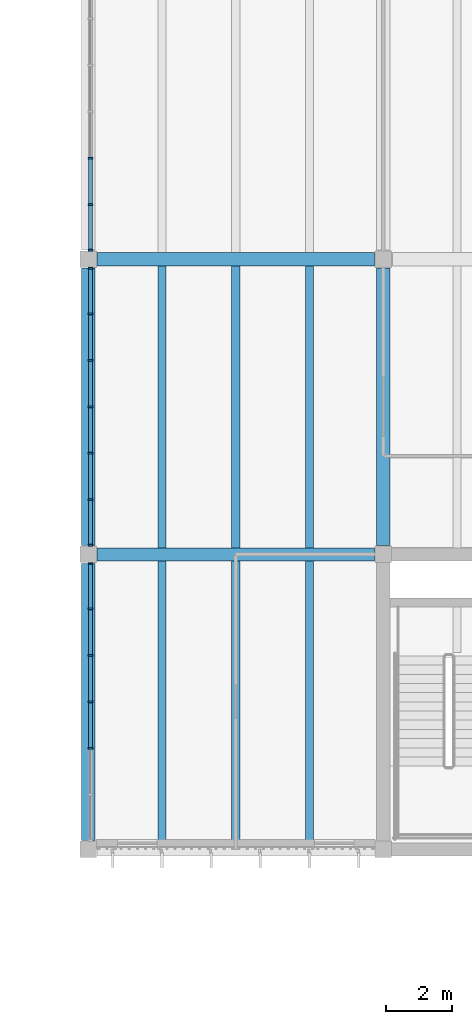
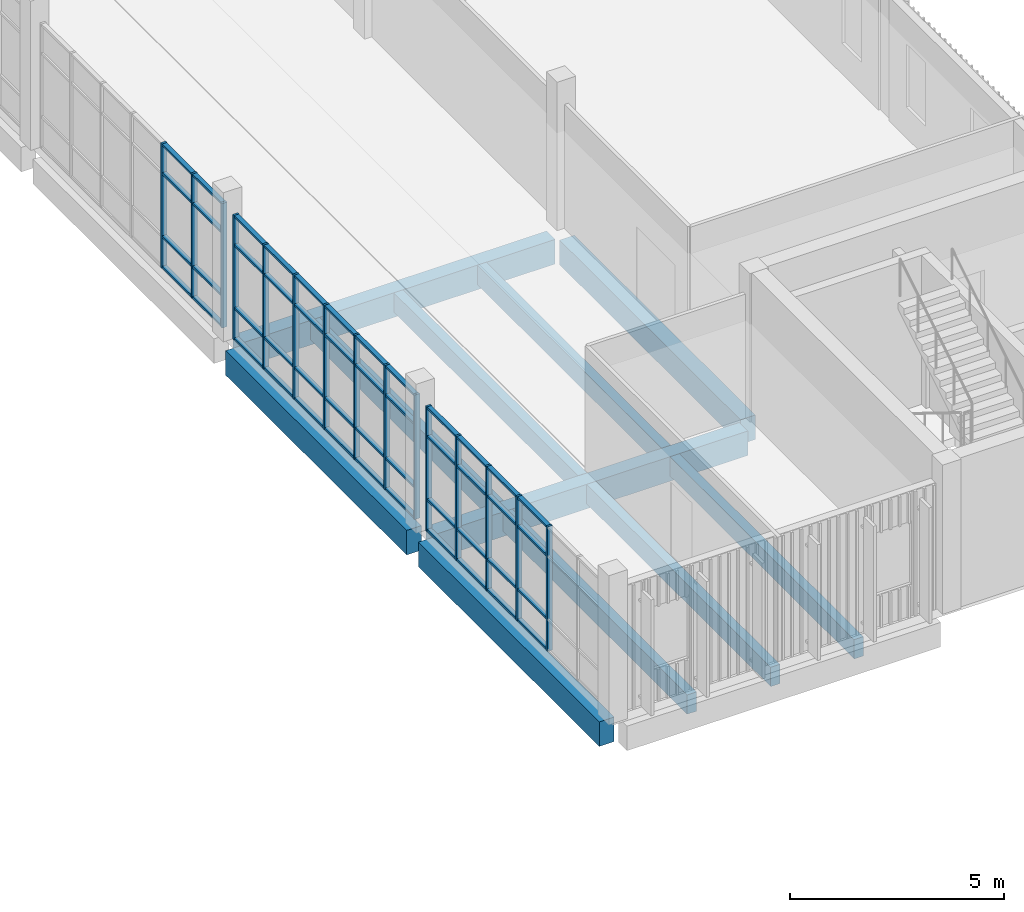
# One storey, part 16 of 92: 63 members, 11 beams, 3 elements without a shape of their own.
"""IFC4 building model written with IfcOpenShell, lengths in metres."""

from ifc_helpers import new_model, si_unit, direction, frame, origin, origin_2d, place, context, subcontext, project, spatial, rectangle, extrude, material, material_profile, profile_set, type_object, element, aggregate, save


model = new_model("IFC4")

# Units and contexts
model_context = context("Model", 3, precision=1e-05, world=origin(), true_north=direction((0.0, 1.0)))
body_context = subcontext(model_context, "Body", "Model", "MODEL_VIEW")
ifc_project = project(units=[si_unit("LENGTHUNIT", "METRE"), si_unit("AREAUNIT", "SQUARE_METRE"), si_unit("VOLUMEUNIT", "CUBIC_METRE"), si_unit("PLANEANGLEUNIT", "RADIAN"), si_unit("MASSUNIT", "GRAM", prefix="KILO")], contexts=[model_context])

# Site, building, storey
site_placement = place(None, origin())
site = spatial("IfcSite", under=ifc_project, at=site_placement, CompositionType="ELEMENT")
building_placement = place(site_placement, origin())
building = spatial("IfcBuilding", under=site, at=building_placement, Name="Merrow Basin Faculty of Sciences", CompositionType="ELEMENT")
storey_placement = place(building_placement, frame((0.0, 0.0, 4.5)))
storey = spatial("IfcBuildingStorey", under=building, at=storey_placement, Name="L01", CompositionType="ELEMENT", Elevation=4.5)

# Curtain wall, members
ifc_material_1 = material(Name="Aluminium alloy 6063", Category="aluminium")
curtain_wall_type = type_object("IfcCurtainWallType", Name="Court curtain wall 140", PredefinedType="NOTDEFINED", material=ifc_material_1)
curtain_wall_1_placement = place(storey_placement, origin())
curtain_wall_1 = element("IfcCurtainWall", 1, at=curtain_wall_1_placement, inside=storey, type_object=curtain_wall_type, Name="Court curtain wall L01 1", PredefinedType="NOTDEFINED")
ifc_material_2 = material(Name="Aluminium alloy 6063", Category="aluminium")
ifc_material_profile_1 = material_profile(ifc_material_2, rectangle(XDim=0.139892578125, YDim=0.06005859375, at=origin_2d()))
ifc_profile_set_1 = profile_set([ifc_material_profile_1], Name="Aluminium alloy 6063")
member_type_1 = type_object("IfcMemberType", Name="Aluminium mullion 60x140", PredefinedType="MULLION", material=ifc_profile_set_1)
member_1_placement = place(storey_placement, frame((54.070068359375, 64.083251953125, 0.0), z_axis=(0.0, 0.0, 1.0), x_axis=(-1.0, 0.0, 0.0)))
member_1 = element("IfcMember", 2, at=member_1_placement, type_object=member_type_1, Name="CW8 mullion 3", PredefinedType="MULLION", context=body_context, shape_type="SweptSolid", body=[
    extrude(rectangle(XDim=0.139892578125, YDim=0.06005859375, at=origin_2d()), origin(), (0.0, 0.0, 1.0), 3.550048828125),
])
member_2_placement = place(storey_placement, frame((54.070068359375, 65.5, 0.0), z_axis=(0.0, 0.0, 1.0), x_axis=(-1.0, 0.0, 0.0)))
member_2 = element("IfcMember", 3, at=member_2_placement, type_object=member_type_1, Name="CW8 mullion 4", PredefinedType="MULLION", context=body_context, shape_type="SweptSolid", body=[
    extrude(rectangle(XDim=0.139892578125, YDim=0.06005859375, at=origin_2d()), origin(), (0.0, 0.0, 1.0), 3.550048828125),
])
member_3_placement = place(storey_placement, frame((54.070068359375, 66.916748046875, 0.0), z_axis=(0.0, 0.0, 1.0), x_axis=(-1.0, 0.0, 0.0)))
member_3 = element("IfcMember", 4, at=member_3_placement, type_object=member_type_1, Name="CW8 mullion 5", PredefinedType="MULLION", context=body_context, shape_type="SweptSolid", body=[
    extrude(rectangle(XDim=0.139892578125, YDim=0.06005859375, at=origin_2d()), origin(), (0.0, 0.0, 1.0), 3.550048828125),
])
member_4_placement = place(storey_placement, frame((54.070068359375, 68.333251953125, 0.0), z_axis=(0.0, 0.0, 1.0), x_axis=(-1.0, 0.0, 0.0)))
member_4 = element("IfcMember", 5, at=member_4_placement, type_object=member_type_1, Name="CW8 mullion 6", PredefinedType="MULLION", context=body_context, shape_type="SweptSolid", body=[
    extrude(rectangle(XDim=0.139892578125, YDim=0.06005859375, at=origin_2d()), origin(), (0.0, 0.0, 1.0), 3.550048828125),
])
member_5_placement = place(storey_placement, frame((54.070068359375, 69.719970703125, 0.0), z_axis=(0.0, 0.0, 1.0), x_axis=(-1.0, 0.0, 0.0)))
member_5 = element("IfcMember", 6, at=member_5_placement, type_object=member_type_1, Name="CW8 mullion 7", PredefinedType="MULLION", context=body_context, shape_type="SweptSolid", body=[
    extrude(rectangle(XDim=0.139892578125, YDim=0.06005859375, at=origin_2d()), origin(), (0.0, 0.0, 1.0), 3.550048828125),
])

curtain_wall_2_placement = place(storey_placement, origin())
curtain_wall_2 = element("IfcCurtainWall", 7, at=curtain_wall_2_placement, inside=storey, type_object=curtain_wall_type, Name="Court curtain wall L01 2", PredefinedType="NOTDEFINED")
member_6_placement = place(storey_placement, frame((54.070068359375, 70.280029296875, 0.0), z_axis=(0.0, 0.0, 1.0), x_axis=(-1.0, 0.0, 0.0)))
member_6 = element("IfcMember", 8, at=member_6_placement, type_object=member_type_1, Name="CW8 mullion 1", PredefinedType="MULLION", context=body_context, shape_type="SweptSolid", body=[
    extrude(rectangle(XDim=0.139892578125, YDim=0.06005859375, at=origin_2d()), origin(), (0.0, 0.0, 1.0), 3.550048828125),
])
member_7_placement = place(storey_placement, frame((54.070068359375, 71.666748046875, 0.0), z_axis=(0.0, 0.0, 1.0), x_axis=(-1.0, 0.0, 0.0)))
member_7 = element("IfcMember", 9, at=member_7_placement, type_object=member_type_1, Name="CW8 mullion 2", PredefinedType="MULLION", context=body_context, shape_type="SweptSolid", body=[
    extrude(rectangle(XDim=0.139892578125, YDim=0.06005859375, at=origin_2d()), origin(), (0.0, 0.0, 1.0), 3.550048828125),
])
member_8_placement = place(storey_placement, frame((54.070068359375, 73.083251953125, 0.0), z_axis=(0.0, 0.0, 1.0), x_axis=(-1.0, 0.0, 0.0)))
member_8 = element("IfcMember", 10, at=member_8_placement, type_object=member_type_1, Name="CW8 mullion 3", PredefinedType="MULLION", context=body_context, shape_type="SweptSolid", body=[
    extrude(rectangle(XDim=0.139892578125, YDim=0.06005859375, at=origin_2d()), origin(), (0.0, 0.0, 1.0), 3.550048828125),
])
member_9_placement = place(storey_placement, frame((54.070068359375, 74.5, 0.0), z_axis=(0.0, 0.0, 1.0), x_axis=(-1.0, 0.0, 0.0)))
member_9 = element("IfcMember", 11, at=member_9_placement, type_object=member_type_1, Name="CW8 mullion 4", PredefinedType="MULLION", context=body_context, shape_type="SweptSolid", body=[
    extrude(rectangle(XDim=0.139892578125, YDim=0.06005859375, at=origin_2d()), origin(), (0.0, 0.0, 1.0), 3.550048828125),
])
member_10_placement = place(storey_placement, frame((54.070068359375, 75.916748046875, 0.0), z_axis=(0.0, 0.0, 1.0), x_axis=(-1.0, 0.0, 0.0)))
member_10 = element("IfcMember", 12, at=member_10_placement, type_object=member_type_1, Name="CW8 mullion 5", PredefinedType="MULLION", context=body_context, shape_type="SweptSolid", body=[
    extrude(rectangle(XDim=0.139892578125, YDim=0.06005859375, at=origin_2d()), origin(), (0.0, 0.0, 1.0), 3.550048828125),
])
member_11_placement = place(storey_placement, frame((54.070068359375, 77.333251953125, 0.0), z_axis=(0.0, 0.0, 1.0), x_axis=(-1.0, 0.0, 0.0)))
member_11 = element("IfcMember", 13, at=member_11_placement, type_object=member_type_1, Name="CW8 mullion 6", PredefinedType="MULLION", context=body_context, shape_type="SweptSolid", body=[
    extrude(rectangle(XDim=0.139892578125, YDim=0.06005859375, at=origin_2d()), origin(), (0.0, 0.0, 1.0), 3.550048828125),
])
member_12_placement = place(storey_placement, frame((54.070068359375, 78.719970703125, 0.0), z_axis=(0.0, 0.0, 1.0), x_axis=(-1.0, 0.0, 0.0)))
member_12 = element("IfcMember", 14, at=member_12_placement, type_object=member_type_1, Name="CW8 mullion 7", PredefinedType="MULLION", context=body_context, shape_type="SweptSolid", body=[
    extrude(rectangle(XDim=0.139892578125, YDim=0.06005859375, at=origin_2d()), origin(), (0.0, 0.0, 1.0), 3.550048828125),
])

curtain_wall_3_placement = place(storey_placement, origin())
curtain_wall_3 = element("IfcCurtainWall", 15, at=curtain_wall_3_placement, inside=storey, type_object=curtain_wall_type, Name="Court curtain wall L01 3", PredefinedType="NOTDEFINED")
member_13_placement = place(storey_placement, frame((54.070068359375, 79.280029296875, 0.0), z_axis=(0.0, 0.0, 1.0), x_axis=(-1.0, 0.0, 0.0)))
member_13 = element("IfcMember", 16, at=member_13_placement, type_object=member_type_1, Name="CW8 mullion 1", PredefinedType="MULLION", context=body_context, shape_type="SweptSolid", body=[
    extrude(rectangle(XDim=0.139892578125, YDim=0.06005859375, at=origin_2d()), origin(), (0.0, 0.0, 1.0), 3.550048828125),
])
member_14_placement = place(storey_placement, frame((54.070068359375, 80.666748046875, 0.0), z_axis=(0.0, 0.0, 1.0), x_axis=(-1.0, 0.0, 0.0)))
member_14 = element("IfcMember", 17, at=member_14_placement, type_object=member_type_1, Name="CW8 mullion 2", PredefinedType="MULLION", context=body_context, shape_type="SweptSolid", body=[
    extrude(rectangle(XDim=0.139892578125, YDim=0.06005859375, at=origin_2d()), origin(), (0.0, 0.0, 1.0), 3.550048828125),
])
member_15_placement = place(storey_placement, frame((54.070068359375, 82.083251953125, 0.0), z_axis=(0.0, 0.0, 1.0), x_axis=(-1.0, 0.0, 0.0)))
member_15 = element("IfcMember", 18, at=member_15_placement, type_object=member_type_1, Name="CW8 mullion 3", PredefinedType="MULLION", context=body_context, shape_type="SweptSolid", body=[
    extrude(rectangle(XDim=0.139892578125, YDim=0.06005859375, at=origin_2d()), origin(), (0.0, 0.0, 1.0), 3.550048828125),
])

# Member
ifc_material_3 = material(Name="Aluminium alloy 6063", Category="aluminium")
ifc_material_profile_2 = material_profile(ifc_material_3, rectangle(XDim=0.1201171875, YDim=0.06005859375, at=origin_2d()))
ifc_profile_set_2 = profile_set([ifc_material_profile_2], Name="Aluminium alloy 6063")
member_type_2 = type_object("IfcMemberType", Name="Aluminium transom 60x120", PredefinedType="USERDEFINED", material=ifc_profile_set_2)
member_16_placement = place(storey_placement, frame((54.070068359375, 64.11328125, 0.030029296875), z_axis=(0.0, 1.0, 0.0), x_axis=(-1.0, 0.0, 0.0)))
member_16 = element("IfcMember", 19, at=member_16_placement, type_object=member_type_2, Name="CW8 transom 3.1", ObjectType="TRANSOM", PredefinedType="USERDEFINED", context=body_context, shape_type="SweptSolid", body=[
    extrude(rectangle(XDim=0.1201171875, YDim=0.06005859375, at=origin_2d()), origin(), (0.0, 0.0, 1.0), 1.356689453125),
])

member_17_placement = place(storey_placement, frame((54.070068359375, 64.11328125, 0.89990234375), z_axis=(0.0, 1.0, 0.0), x_axis=(-1.0, 0.0, 0.0)))
member_17 = element("IfcMember", 20, at=member_17_placement, type_object=member_type_2, Name="CW8 transom 3.2", ObjectType="TRANSOM", PredefinedType="USERDEFINED", context=body_context, shape_type="SweptSolid", body=[
    extrude(rectangle(XDim=0.1201171875, YDim=0.06005859375, at=origin_2d()), origin(), (0.0, 0.0, 1.0), 1.356689453125),
])

member_18_placement = place(storey_placement, frame((54.070068359375, 64.11328125, 2.699951171875), z_axis=(0.0, 1.0, 0.0), x_axis=(-1.0, 0.0, 0.0)))
member_18 = element("IfcMember", 21, at=member_18_placement, type_object=member_type_2, Name="CW8 transom 3.3", ObjectType="TRANSOM", PredefinedType="USERDEFINED", context=body_context, shape_type="SweptSolid", body=[
    extrude(rectangle(XDim=0.1201171875, YDim=0.06005859375, at=origin_2d()), origin(), (0.0, 0.0, 1.0), 1.356689453125),
])

member_19_placement = place(storey_placement, frame((54.070068359375, 64.11328125, 3.52001953125), z_axis=(0.0, 1.0, 0.0), x_axis=(-1.0, 0.0, 0.0)))
member_19 = element("IfcMember", 22, at=member_19_placement, type_object=member_type_2, Name="CW8 transom 3.4", ObjectType="TRANSOM", PredefinedType="USERDEFINED", context=body_context, shape_type="SweptSolid", body=[
    extrude(rectangle(XDim=0.1201171875, YDim=0.06005859375, at=origin_2d()), origin(), (0.0, 0.0, 1.0), 1.356689453125),
])

member_20_placement = place(storey_placement, frame((54.070068359375, 65.530029296875, 0.030029296875), z_axis=(0.0, 1.0, 0.0), x_axis=(-1.0, 0.0, 0.0)))
member_20 = element("IfcMember", 23, at=member_20_placement, type_object=member_type_2, Name="CW8 transom 4.1", ObjectType="TRANSOM", PredefinedType="USERDEFINED", context=body_context, shape_type="SweptSolid", body=[
    extrude(rectangle(XDim=0.1201171875, YDim=0.06005859375, at=origin_2d()), origin(), (0.0, 0.0, 1.0), 1.356689453125),
])

member_21_placement = place(storey_placement, frame((54.070068359375, 65.530029296875, 0.89990234375), z_axis=(0.0, 1.0, 0.0), x_axis=(-1.0, 0.0, 0.0)))
member_21 = element("IfcMember", 24, at=member_21_placement, type_object=member_type_2, Name="CW8 transom 4.2", ObjectType="TRANSOM", PredefinedType="USERDEFINED", context=body_context, shape_type="SweptSolid", body=[
    extrude(rectangle(XDim=0.1201171875, YDim=0.06005859375, at=origin_2d()), origin(), (0.0, 0.0, 1.0), 1.356689453125),
])

member_22_placement = place(storey_placement, frame((54.070068359375, 65.530029296875, 2.699951171875), z_axis=(0.0, 1.0, 0.0), x_axis=(-1.0, 0.0, 0.0)))
member_22 = element("IfcMember", 25, at=member_22_placement, type_object=member_type_2, Name="CW8 transom 4.3", ObjectType="TRANSOM", PredefinedType="USERDEFINED", context=body_context, shape_type="SweptSolid", body=[
    extrude(rectangle(XDim=0.1201171875, YDim=0.06005859375, at=origin_2d()), origin(), (0.0, 0.0, 1.0), 1.356689453125),
])

member_23_placement = place(storey_placement, frame((54.070068359375, 65.530029296875, 3.52001953125), z_axis=(0.0, 1.0, 0.0), x_axis=(-1.0, 0.0, 0.0)))
member_23 = element("IfcMember", 26, at=member_23_placement, type_object=member_type_2, Name="CW8 transom 4.4", ObjectType="TRANSOM", PredefinedType="USERDEFINED", context=body_context, shape_type="SweptSolid", body=[
    extrude(rectangle(XDim=0.1201171875, YDim=0.06005859375, at=origin_2d()), origin(), (0.0, 0.0, 1.0), 1.356689453125),
])

member_24_placement = place(storey_placement, frame((54.070068359375, 66.94677734375, 0.030029296875), z_axis=(0.0, 1.0, 0.0), x_axis=(-1.0, 0.0, 0.0)))
member_24 = element("IfcMember", 27, at=member_24_placement, type_object=member_type_2, Name="CW8 transom 5.1", ObjectType="TRANSOM", PredefinedType="USERDEFINED", context=body_context, shape_type="SweptSolid", body=[
    extrude(rectangle(XDim=0.1201171875, YDim=0.06005859375, at=origin_2d()), origin(), (0.0, 0.0, 1.0), 1.3564453125),
])

member_25_placement = place(storey_placement, frame((54.070068359375, 66.94677734375, 0.89990234375), z_axis=(0.0, 1.0, 0.0), x_axis=(-1.0, 0.0, 0.0)))
member_25 = element("IfcMember", 28, at=member_25_placement, type_object=member_type_2, Name="CW8 transom 5.2", ObjectType="TRANSOM", PredefinedType="USERDEFINED", context=body_context, shape_type="SweptSolid", body=[
    extrude(rectangle(XDim=0.1201171875, YDim=0.06005859375, at=origin_2d()), origin(), (0.0, 0.0, 1.0), 1.3564453125),
])

member_26_placement = place(storey_placement, frame((54.070068359375, 66.94677734375, 2.699951171875), z_axis=(0.0, 1.0, 0.0), x_axis=(-1.0, 0.0, 0.0)))
member_26 = element("IfcMember", 29, at=member_26_placement, type_object=member_type_2, Name="CW8 transom 5.3", ObjectType="TRANSOM", PredefinedType="USERDEFINED", context=body_context, shape_type="SweptSolid", body=[
    extrude(rectangle(XDim=0.1201171875, YDim=0.06005859375, at=origin_2d()), origin(), (0.0, 0.0, 1.0), 1.3564453125),
])

member_27_placement = place(storey_placement, frame((54.070068359375, 66.94677734375, 3.52001953125), z_axis=(0.0, 1.0, 0.0), x_axis=(-1.0, 0.0, 0.0)))
member_27 = element("IfcMember", 30, at=member_27_placement, type_object=member_type_2, Name="CW8 transom 5.4", ObjectType="TRANSOM", PredefinedType="USERDEFINED", context=body_context, shape_type="SweptSolid", body=[
    extrude(rectangle(XDim=0.1201171875, YDim=0.06005859375, at=origin_2d()), origin(), (0.0, 0.0, 1.0), 1.3564453125),
])

member_28_placement = place(storey_placement, frame((54.070068359375, 68.36328125, 0.030029296875), z_axis=(0.0, 1.0, 0.0), x_axis=(-1.0, 0.0, 0.0)))
member_28 = element("IfcMember", 31, at=member_28_placement, type_object=member_type_2, Name="CW8 transom 6.1", ObjectType="TRANSOM", PredefinedType="USERDEFINED", context=body_context, shape_type="SweptSolid", body=[
    extrude(rectangle(XDim=0.1201171875, YDim=0.06005859375, at=origin_2d()), origin(), (0.0, 0.0, 1.0), 1.32666015625),
])

member_29_placement = place(storey_placement, frame((54.070068359375, 68.36328125, 0.89990234375), z_axis=(0.0, 1.0, 0.0), x_axis=(-1.0, 0.0, 0.0)))
member_29 = element("IfcMember", 32, at=member_29_placement, type_object=member_type_2, Name="CW8 transom 6.2", ObjectType="TRANSOM", PredefinedType="USERDEFINED", context=body_context, shape_type="SweptSolid", body=[
    extrude(rectangle(XDim=0.1201171875, YDim=0.06005859375, at=origin_2d()), origin(), (0.0, 0.0, 1.0), 1.32666015625),
])

member_30_placement = place(storey_placement, frame((54.070068359375, 68.36328125, 2.699951171875), z_axis=(0.0, 1.0, 0.0), x_axis=(-1.0, 0.0, 0.0)))
member_30 = element("IfcMember", 33, at=member_30_placement, type_object=member_type_2, Name="CW8 transom 6.3", ObjectType="TRANSOM", PredefinedType="USERDEFINED", context=body_context, shape_type="SweptSolid", body=[
    extrude(rectangle(XDim=0.1201171875, YDim=0.06005859375, at=origin_2d()), origin(), (0.0, 0.0, 1.0), 1.32666015625),
])

member_31_placement = place(storey_placement, frame((54.070068359375, 68.36328125, 3.52001953125), z_axis=(0.0, 1.0, 0.0), x_axis=(-1.0, 0.0, 0.0)))
member_31 = element("IfcMember", 34, at=member_31_placement, type_object=member_type_2, Name="CW8 transom 6.4", ObjectType="TRANSOM", PredefinedType="USERDEFINED", context=body_context, shape_type="SweptSolid", body=[
    extrude(rectangle(XDim=0.1201171875, YDim=0.06005859375, at=origin_2d()), origin(), (0.0, 0.0, 1.0), 1.32666015625),
])

aggregate(curtain_wall_1, [member_1, member_2, member_3, member_4, member_5, member_16, member_17, member_18, member_19, member_20, member_21, member_22, member_23, member_24, member_25, member_26, member_27, member_28, member_29, member_30, member_31])

member_32_placement = place(storey_placement, frame((54.070068359375, 70.31005859375, 0.030029296875), z_axis=(0.0, 1.0, 0.0), x_axis=(-1.0, 0.0, 0.0)))
member_32 = element("IfcMember", 35, at=member_32_placement, type_object=member_type_2, Name="CW8 transom 1.1", ObjectType="TRANSOM", PredefinedType="USERDEFINED", context=body_context, shape_type="SweptSolid", body=[
    extrude(rectangle(XDim=0.1201171875, YDim=0.06005859375, at=origin_2d()), origin(), (0.0, 0.0, 1.0), 1.32666015625),
])

member_33_placement = place(storey_placement, frame((54.070068359375, 70.31005859375, 0.89990234375), z_axis=(0.0, 1.0, 0.0), x_axis=(-1.0, 0.0, 0.0)))
member_33 = element("IfcMember", 36, at=member_33_placement, type_object=member_type_2, Name="CW8 transom 1.2", ObjectType="TRANSOM", PredefinedType="USERDEFINED", context=body_context, shape_type="SweptSolid", body=[
    extrude(rectangle(XDim=0.1201171875, YDim=0.06005859375, at=origin_2d()), origin(), (0.0, 0.0, 1.0), 1.32666015625),
])

member_34_placement = place(storey_placement, frame((54.070068359375, 70.31005859375, 2.699951171875), z_axis=(0.0, 1.0, 0.0), x_axis=(-1.0, 0.0, 0.0)))
member_34 = element("IfcMember", 37, at=member_34_placement, type_object=member_type_2, Name="CW8 transom 1.3", ObjectType="TRANSOM", PredefinedType="USERDEFINED", context=body_context, shape_type="SweptSolid", body=[
    extrude(rectangle(XDim=0.1201171875, YDim=0.06005859375, at=origin_2d()), origin(), (0.0, 0.0, 1.0), 1.32666015625),
])

member_35_placement = place(storey_placement, frame((54.070068359375, 70.31005859375, 3.52001953125), z_axis=(0.0, 1.0, 0.0), x_axis=(-1.0, 0.0, 0.0)))
member_35 = element("IfcMember", 38, at=member_35_placement, type_object=member_type_2, Name="CW8 transom 1.4", ObjectType="TRANSOM", PredefinedType="USERDEFINED", context=body_context, shape_type="SweptSolid", body=[
    extrude(rectangle(XDim=0.1201171875, YDim=0.06005859375, at=origin_2d()), origin(), (0.0, 0.0, 1.0), 1.32666015625),
])

member_36_placement = place(storey_placement, frame((54.070068359375, 71.69677734375, 0.030029296875), z_axis=(0.0, 1.0, 0.0), x_axis=(-1.0, 0.0, 0.0)))
member_36 = element("IfcMember", 39, at=member_36_placement, type_object=member_type_2, Name="CW8 transom 2.1", ObjectType="TRANSOM", PredefinedType="USERDEFINED", context=body_context, shape_type="SweptSolid", body=[
    extrude(rectangle(XDim=0.1201171875, YDim=0.06005859375, at=origin_2d()), origin(), (0.0, 0.0, 1.0), 1.3564453125),
])

member_37_placement = place(storey_placement, frame((54.070068359375, 71.69677734375, 0.89990234375), z_axis=(0.0, 1.0, 0.0), x_axis=(-1.0, 0.0, 0.0)))
member_37 = element("IfcMember", 40, at=member_37_placement, type_object=member_type_2, Name="CW8 transom 2.2", ObjectType="TRANSOM", PredefinedType="USERDEFINED", context=body_context, shape_type="SweptSolid", body=[
    extrude(rectangle(XDim=0.1201171875, YDim=0.06005859375, at=origin_2d()), origin(), (0.0, 0.0, 1.0), 1.3564453125),
])

member_38_placement = place(storey_placement, frame((54.070068359375, 71.69677734375, 2.699951171875), z_axis=(0.0, 1.0, 0.0), x_axis=(-1.0, 0.0, 0.0)))
member_38 = element("IfcMember", 41, at=member_38_placement, type_object=member_type_2, Name="CW8 transom 2.3", ObjectType="TRANSOM", PredefinedType="USERDEFINED", context=body_context, shape_type="SweptSolid", body=[
    extrude(rectangle(XDim=0.1201171875, YDim=0.06005859375, at=origin_2d()), origin(), (0.0, 0.0, 1.0), 1.3564453125),
])

member_39_placement = place(storey_placement, frame((54.070068359375, 71.69677734375, 3.52001953125), z_axis=(0.0, 1.0, 0.0), x_axis=(-1.0, 0.0, 0.0)))
member_39 = element("IfcMember", 42, at=member_39_placement, type_object=member_type_2, Name="CW8 transom 2.4", ObjectType="TRANSOM", PredefinedType="USERDEFINED", context=body_context, shape_type="SweptSolid", body=[
    extrude(rectangle(XDim=0.1201171875, YDim=0.06005859375, at=origin_2d()), origin(), (0.0, 0.0, 1.0), 1.3564453125),
])

member_40_placement = place(storey_placement, frame((54.070068359375, 73.11328125, 0.030029296875), z_axis=(0.0, 1.0, 0.0), x_axis=(-1.0, 0.0, 0.0)))
member_40 = element("IfcMember", 43, at=member_40_placement, type_object=member_type_2, Name="CW8 transom 3.1", ObjectType="TRANSOM", PredefinedType="USERDEFINED", context=body_context, shape_type="SweptSolid", body=[
    extrude(rectangle(XDim=0.1201171875, YDim=0.06005859375, at=origin_2d()), origin(), (0.0, 0.0, 1.0), 1.356689453125),
])

member_41_placement = place(storey_placement, frame((54.070068359375, 73.11328125, 0.89990234375), z_axis=(0.0, 1.0, 0.0), x_axis=(-1.0, 0.0, 0.0)))
member_41 = element("IfcMember", 44, at=member_41_placement, type_object=member_type_2, Name="CW8 transom 3.2", ObjectType="TRANSOM", PredefinedType="USERDEFINED", context=body_context, shape_type="SweptSolid", body=[
    extrude(rectangle(XDim=0.1201171875, YDim=0.06005859375, at=origin_2d()), origin(), (0.0, 0.0, 1.0), 1.356689453125),
])

member_42_placement = place(storey_placement, frame((54.070068359375, 73.11328125, 2.699951171875), z_axis=(0.0, 1.0, 0.0), x_axis=(-1.0, 0.0, 0.0)))
member_42 = element("IfcMember", 45, at=member_42_placement, type_object=member_type_2, Name="CW8 transom 3.3", ObjectType="TRANSOM", PredefinedType="USERDEFINED", context=body_context, shape_type="SweptSolid", body=[
    extrude(rectangle(XDim=0.1201171875, YDim=0.06005859375, at=origin_2d()), origin(), (0.0, 0.0, 1.0), 1.356689453125),
])

member_43_placement = place(storey_placement, frame((54.070068359375, 73.11328125, 3.52001953125), z_axis=(0.0, 1.0, 0.0), x_axis=(-1.0, 0.0, 0.0)))
member_43 = element("IfcMember", 46, at=member_43_placement, type_object=member_type_2, Name="CW8 transom 3.4", ObjectType="TRANSOM", PredefinedType="USERDEFINED", context=body_context, shape_type="SweptSolid", body=[
    extrude(rectangle(XDim=0.1201171875, YDim=0.06005859375, at=origin_2d()), origin(), (0.0, 0.0, 1.0), 1.356689453125),
])

member_44_placement = place(storey_placement, frame((54.070068359375, 74.530029296875, 0.030029296875), z_axis=(0.0, 1.0, 0.0), x_axis=(-1.0, 0.0, 0.0)))
member_44 = element("IfcMember", 47, at=member_44_placement, type_object=member_type_2, Name="CW8 transom 4.1", ObjectType="TRANSOM", PredefinedType="USERDEFINED", context=body_context, shape_type="SweptSolid", body=[
    extrude(rectangle(XDim=0.1201171875, YDim=0.06005859375, at=origin_2d()), origin(), (0.0, 0.0, 1.0), 1.356689453125),
])

member_45_placement = place(storey_placement, frame((54.070068359375, 74.530029296875, 0.89990234375), z_axis=(0.0, 1.0, 0.0), x_axis=(-1.0, 0.0, 0.0)))
member_45 = element("IfcMember", 48, at=member_45_placement, type_object=member_type_2, Name="CW8 transom 4.2", ObjectType="TRANSOM", PredefinedType="USERDEFINED", context=body_context, shape_type="SweptSolid", body=[
    extrude(rectangle(XDim=0.1201171875, YDim=0.06005859375, at=origin_2d()), origin(), (0.0, 0.0, 1.0), 1.356689453125),
])

member_46_placement = place(storey_placement, frame((54.070068359375, 74.530029296875, 2.699951171875), z_axis=(0.0, 1.0, 0.0), x_axis=(-1.0, 0.0, 0.0)))
member_46 = element("IfcMember", 49, at=member_46_placement, type_object=member_type_2, Name="CW8 transom 4.3", ObjectType="TRANSOM", PredefinedType="USERDEFINED", context=body_context, shape_type="SweptSolid", body=[
    extrude(rectangle(XDim=0.1201171875, YDim=0.06005859375, at=origin_2d()), origin(), (0.0, 0.0, 1.0), 1.356689453125),
])

member_47_placement = place(storey_placement, frame((54.070068359375, 74.530029296875, 3.52001953125), z_axis=(0.0, 1.0, 0.0), x_axis=(-1.0, 0.0, 0.0)))
member_47 = element("IfcMember", 50, at=member_47_placement, type_object=member_type_2, Name="CW8 transom 4.4", ObjectType="TRANSOM", PredefinedType="USERDEFINED", context=body_context, shape_type="SweptSolid", body=[
    extrude(rectangle(XDim=0.1201171875, YDim=0.06005859375, at=origin_2d()), origin(), (0.0, 0.0, 1.0), 1.356689453125),
])

member_48_placement = place(storey_placement, frame((54.070068359375, 75.94677734375, 0.030029296875), z_axis=(0.0, 1.0, 0.0), x_axis=(-1.0, 0.0, 0.0)))
member_48 = element("IfcMember", 51, at=member_48_placement, type_object=member_type_2, Name="CW8 transom 5.1", ObjectType="TRANSOM", PredefinedType="USERDEFINED", context=body_context, shape_type="SweptSolid", body=[
    extrude(rectangle(XDim=0.1201171875, YDim=0.06005859375, at=origin_2d()), origin(), (0.0, 0.0, 1.0), 1.3564453125),
])

member_49_placement = place(storey_placement, frame((54.070068359375, 75.94677734375, 0.89990234375), z_axis=(0.0, 1.0, 0.0), x_axis=(-1.0, 0.0, 0.0)))
member_49 = element("IfcMember", 52, at=member_49_placement, type_object=member_type_2, Name="CW8 transom 5.2", ObjectType="TRANSOM", PredefinedType="USERDEFINED", context=body_context, shape_type="SweptSolid", body=[
    extrude(rectangle(XDim=0.1201171875, YDim=0.06005859375, at=origin_2d()), origin(), (0.0, 0.0, 1.0), 1.3564453125),
])

member_50_placement = place(storey_placement, frame((54.070068359375, 75.94677734375, 2.699951171875), z_axis=(0.0, 1.0, 0.0), x_axis=(-1.0, 0.0, 0.0)))
member_50 = element("IfcMember", 53, at=member_50_placement, type_object=member_type_2, Name="CW8 transom 5.3", ObjectType="TRANSOM", PredefinedType="USERDEFINED", context=body_context, shape_type="SweptSolid", body=[
    extrude(rectangle(XDim=0.1201171875, YDim=0.06005859375, at=origin_2d()), origin(), (0.0, 0.0, 1.0), 1.3564453125),
])

member_51_placement = place(storey_placement, frame((54.070068359375, 75.94677734375, 3.52001953125), z_axis=(0.0, 1.0, 0.0), x_axis=(-1.0, 0.0, 0.0)))
member_51 = element("IfcMember", 54, at=member_51_placement, type_object=member_type_2, Name="CW8 transom 5.4", ObjectType="TRANSOM", PredefinedType="USERDEFINED", context=body_context, shape_type="SweptSolid", body=[
    extrude(rectangle(XDim=0.1201171875, YDim=0.06005859375, at=origin_2d()), origin(), (0.0, 0.0, 1.0), 1.3564453125),
])

member_52_placement = place(storey_placement, frame((54.070068359375, 77.36328125, 0.030029296875), z_axis=(0.0, 1.0, 0.0), x_axis=(-1.0, 0.0, 0.0)))
member_52 = element("IfcMember", 55, at=member_52_placement, type_object=member_type_2, Name="CW8 transom 6.1", ObjectType="TRANSOM", PredefinedType="USERDEFINED", context=body_context, shape_type="SweptSolid", body=[
    extrude(rectangle(XDim=0.1201171875, YDim=0.06005859375, at=origin_2d()), origin(), (0.0, 0.0, 1.0), 1.32666015625),
])

member_53_placement = place(storey_placement, frame((54.070068359375, 77.36328125, 0.89990234375), z_axis=(0.0, 1.0, 0.0), x_axis=(-1.0, 0.0, 0.0)))
member_53 = element("IfcMember", 56, at=member_53_placement, type_object=member_type_2, Name="CW8 transom 6.2", ObjectType="TRANSOM", PredefinedType="USERDEFINED", context=body_context, shape_type="SweptSolid", body=[
    extrude(rectangle(XDim=0.1201171875, YDim=0.06005859375, at=origin_2d()), origin(), (0.0, 0.0, 1.0), 1.32666015625),
])

member_54_placement = place(storey_placement, frame((54.070068359375, 77.36328125, 2.699951171875), z_axis=(0.0, 1.0, 0.0), x_axis=(-1.0, 0.0, 0.0)))
member_54 = element("IfcMember", 57, at=member_54_placement, type_object=member_type_2, Name="CW8 transom 6.3", ObjectType="TRANSOM", PredefinedType="USERDEFINED", context=body_context, shape_type="SweptSolid", body=[
    extrude(rectangle(XDim=0.1201171875, YDim=0.06005859375, at=origin_2d()), origin(), (0.0, 0.0, 1.0), 1.32666015625),
])

member_55_placement = place(storey_placement, frame((54.070068359375, 77.36328125, 3.52001953125), z_axis=(0.0, 1.0, 0.0), x_axis=(-1.0, 0.0, 0.0)))
member_55 = element("IfcMember", 58, at=member_55_placement, type_object=member_type_2, Name="CW8 transom 6.4", ObjectType="TRANSOM", PredefinedType="USERDEFINED", context=body_context, shape_type="SweptSolid", body=[
    extrude(rectangle(XDim=0.1201171875, YDim=0.06005859375, at=origin_2d()), origin(), (0.0, 0.0, 1.0), 1.32666015625),
])

aggregate(curtain_wall_2, [member_6, member_7, member_8, member_9, member_10, member_11, member_12, member_32, member_33, member_34, member_35, member_36, member_37, member_38, member_39, member_40, member_41, member_42, member_43, member_44, member_45, member_46, member_47, member_48, member_49, member_50, member_51, member_52, member_53, member_54, member_55])

member_56_placement = place(storey_placement, frame((54.070068359375, 79.31005859375, 0.030029296875), z_axis=(0.0, 1.0, 0.0), x_axis=(-1.0, 0.0, 0.0)))
member_56 = element("IfcMember", 59, at=member_56_placement, type_object=member_type_2, Name="CW8 transom 1.1", ObjectType="TRANSOM", PredefinedType="USERDEFINED", context=body_context, shape_type="SweptSolid", body=[
    extrude(rectangle(XDim=0.1201171875, YDim=0.06005859375, at=origin_2d()), origin(), (0.0, 0.0, 1.0), 1.32666015625),
])

member_57_placement = place(storey_placement, frame((54.070068359375, 79.31005859375, 0.89990234375), z_axis=(0.0, 1.0, 0.0), x_axis=(-1.0, 0.0, 0.0)))
member_57 = element("IfcMember", 60, at=member_57_placement, type_object=member_type_2, Name="CW8 transom 1.2", ObjectType="TRANSOM", PredefinedType="USERDEFINED", context=body_context, shape_type="SweptSolid", body=[
    extrude(rectangle(XDim=0.1201171875, YDim=0.06005859375, at=origin_2d()), origin(), (0.0, 0.0, 1.0), 1.32666015625),
])

member_58_placement = place(storey_placement, frame((54.070068359375, 79.31005859375, 2.699951171875), z_axis=(0.0, 1.0, 0.0), x_axis=(-1.0, 0.0, 0.0)))
member_58 = element("IfcMember", 61, at=member_58_placement, type_object=member_type_2, Name="CW8 transom 1.3", ObjectType="TRANSOM", PredefinedType="USERDEFINED", context=body_context, shape_type="SweptSolid", body=[
    extrude(rectangle(XDim=0.1201171875, YDim=0.06005859375, at=origin_2d()), origin(), (0.0, 0.0, 1.0), 1.32666015625),
])

member_59_placement = place(storey_placement, frame((54.070068359375, 79.31005859375, 3.52001953125), z_axis=(0.0, 1.0, 0.0), x_axis=(-1.0, 0.0, 0.0)))
member_59 = element("IfcMember", 62, at=member_59_placement, type_object=member_type_2, Name="CW8 transom 1.4", ObjectType="TRANSOM", PredefinedType="USERDEFINED", context=body_context, shape_type="SweptSolid", body=[
    extrude(rectangle(XDim=0.1201171875, YDim=0.06005859375, at=origin_2d()), origin(), (0.0, 0.0, 1.0), 1.32666015625),
])

member_60_placement = place(storey_placement, frame((54.070068359375, 80.69677734375, 0.030029296875), z_axis=(0.0, 1.0, 0.0), x_axis=(-1.0, 0.0, 0.0)))
member_60 = element("IfcMember", 63, at=member_60_placement, type_object=member_type_2, Name="CW8 transom 2.1", ObjectType="TRANSOM", PredefinedType="USERDEFINED", context=body_context, shape_type="SweptSolid", body=[
    extrude(rectangle(XDim=0.1201171875, YDim=0.06005859375, at=origin_2d()), origin(), (0.0, 0.0, 1.0), 1.3564453125),
])

member_61_placement = place(storey_placement, frame((54.070068359375, 80.69677734375, 0.89990234375), z_axis=(0.0, 1.0, 0.0), x_axis=(-1.0, 0.0, 0.0)))
member_61 = element("IfcMember", 64, at=member_61_placement, type_object=member_type_2, Name="CW8 transom 2.2", ObjectType="TRANSOM", PredefinedType="USERDEFINED", context=body_context, shape_type="SweptSolid", body=[
    extrude(rectangle(XDim=0.1201171875, YDim=0.06005859375, at=origin_2d()), origin(), (0.0, 0.0, 1.0), 1.3564453125),
])

member_62_placement = place(storey_placement, frame((54.070068359375, 80.69677734375, 2.699951171875), z_axis=(0.0, 1.0, 0.0), x_axis=(-1.0, 0.0, 0.0)))
member_62 = element("IfcMember", 65, at=member_62_placement, type_object=member_type_2, Name="CW8 transom 2.3", ObjectType="TRANSOM", PredefinedType="USERDEFINED", context=body_context, shape_type="SweptSolid", body=[
    extrude(rectangle(XDim=0.1201171875, YDim=0.06005859375, at=origin_2d()), origin(), (0.0, 0.0, 1.0), 1.3564453125),
])

member_63_placement = place(storey_placement, frame((54.070068359375, 80.69677734375, 3.52001953125), z_axis=(0.0, 1.0, 0.0), x_axis=(-1.0, 0.0, 0.0)))
member_63 = element("IfcMember", 66, at=member_63_placement, type_object=member_type_2, Name="CW8 transom 2.4", ObjectType="TRANSOM", PredefinedType="USERDEFINED", context=body_context, shape_type="SweptSolid", body=[
    extrude(rectangle(XDim=0.1201171875, YDim=0.06005859375, at=origin_2d()), origin(), (0.0, 0.0, 1.0), 1.3564453125),
])

aggregate(curtain_wall_3, [member_13, member_14, member_15, member_56, member_57, member_58, member_59, member_60, member_61, member_62, member_63])

# Beams
ifc_material_4 = material(Name="Concrete C40/50", Category="concrete")
ifc_material_profile_3 = material_profile(ifc_material_4, rectangle(XDim=0.39990234375, YDim=0.699951171875, at=origin_2d()))
ifc_profile_set_3 = profile_set([ifc_material_profile_3], Name="Concrete C40/50")
beam_type_1 = type_object("IfcBeamType", Name="Beam RC400x700 C40/50", PredefinedType="BEAM", material=ifc_profile_set_3)
for number, where, z_axis, x_axis, name in (
    (67, (54.27490234375, 70.0, -0.60009765625), (1.0, 0.0, 0.0), (0.0, 1.0, 0.0), "B3 L01 002"),
    (68, (54.27490234375, 79.0, -0.60009765625), (1.0, 0.0, 0.0), (0.0, 1.0, 0.0), "B3 L01 003"),
    (69, (54.0, 61.27490234375, -0.60009765625), (0.0, 1.0, 0.0), (-1.0, 0.0, 0.0), "B3 L01 024"),
    (70, (54.0, 70.27490234375, -0.60009765625), (0.0, 1.0, 0.0), (-1.0, 0.0, 0.0), "B3 L01 025"),
    (71, (63.0, 70.27490234375, -0.60009765625), (0.0, 1.0, 0.0), (-1.0, 0.0, 0.0), "B3 L01 032"),
):
    element("IfcBeam", number, at=place(storey_placement, frame(where, z_axis=z_axis, x_axis=x_axis)), inside=storey, type_object=beam_type_1, Name=name, PredefinedType="BEAM", context=body_context, shape_type="SweptSolid", body=[
        extrude(rectangle(XDim=0.39990234375, YDim=0.699951171875, at=origin_2d()), origin(), (0.0, 0.0, 1.0), 8.4501953125),
    ])
ifc_material_5 = material(Name="Concrete C40/50", Category="concrete")
ifc_material_profile_4 = material_profile(ifc_material_5, rectangle(XDim=0.25, YDim=0.550048828125, at=origin_2d()))
ifc_profile_set_4 = profile_set([ifc_material_profile_4], Name="Concrete C40/50")
beam_type_2 = type_object("IfcBeamType", Name="Commons floor joist RC250x550 C40/50", PredefinedType="BEAM", material=ifc_profile_set_4)
for number, where, z_axis, x_axis, name in (
    (72, (56.25, 61.199951171875, -0.52490234375), (0.0, 1.0, 0.0), (-1.0, 0.0, 0.0), "JC1 L01 060"),
    (73, (58.5, 61.199951171875, -0.52490234375), (0.0, 1.0, 0.0), (-1.0, 0.0, 0.0), "JC1 L01 061"),
    (74, (60.75, 61.199951171875, -0.52490234375), (0.0, 1.0, 0.0), (-1.0, 0.0, 0.0), "JC1 L01 062"),
    (75, (56.25, 70.199951171875, -0.52490234375), (0.0, 1.0, 0.0), (-1.0, 0.0, 0.0), "JC1 L01 063"),
    (76, (58.5, 70.199951171875, -0.52490234375), (0.0, 1.0, 0.0), (-1.0, 0.0, 0.0), "JC1 L01 064"),
    (77, (60.75, 70.199951171875, -0.52490234375), (0.0, 1.0, 0.0), (-1.0, 0.0, 0.0), "JC1 L01 065"),
):
    element("IfcBeam", number, at=place(storey_placement, frame(where, z_axis=z_axis, x_axis=x_axis)), inside=storey, type_object=beam_type_2, Name=name, PredefinedType="BEAM", context=body_context, shape_type="SweptSolid", body=[
        extrude(rectangle(XDim=0.25, YDim=0.550048828125, at=origin_2d()), origin(), (0.0, 0.0, 1.0), 8.60009765625),
    ])

save(model, "model.ifc")
